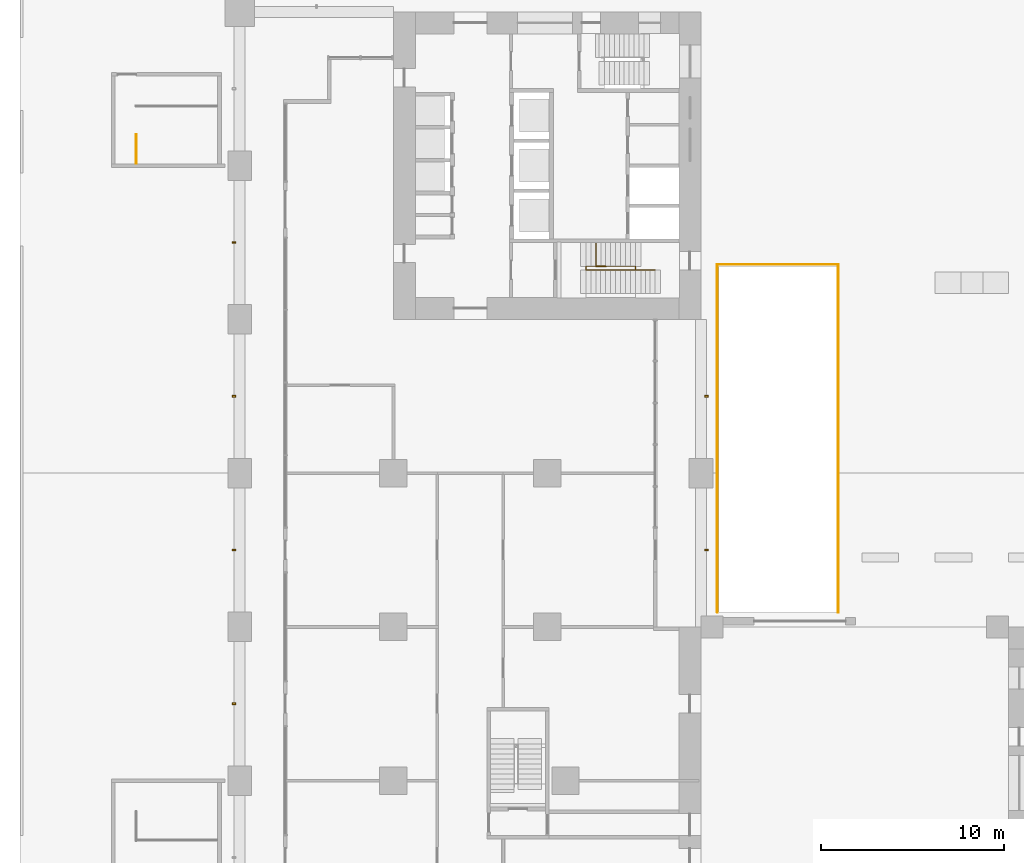
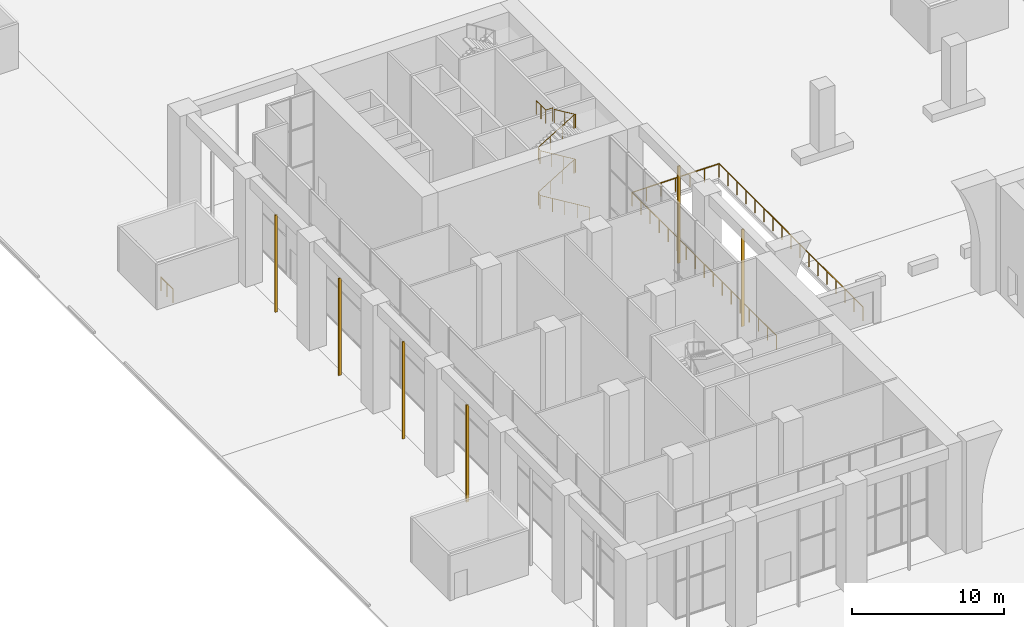
# One storey, part 36 of 46: 6 railings, 6 shading devices.
"""IFC4 building model written with IfcOpenShell, lengths in metres."""

from ifc_helpers import new_model, si_unit, direction, frame, origin, origin_2d, place, context, subcontext, project, spatial, rectangle, circle, extrude, material, material_profile, profile_set, type_object, element, save


model = new_model("IFC4")

# Units and contexts
model_context = context("Model", 3, precision=1e-05, world=origin(), true_north=direction((0.0, 1.0)))
body_context = subcontext(model_context, "Body", "Model", "MODEL_VIEW")
ifc_project = project(units=[si_unit("LENGTHUNIT", "METRE"), si_unit("AREAUNIT", "SQUARE_METRE"), si_unit("VOLUMEUNIT", "CUBIC_METRE"), si_unit("PLANEANGLEUNIT", "RADIAN"), si_unit("MASSUNIT", "GRAM", prefix="KILO")], contexts=[model_context])

# Site, building, storey
site_placement = place(None, origin())
site = spatial("IfcSite", under=ifc_project, at=site_placement, CompositionType="ELEMENT")
building_placement = place(site_placement, origin())
building = spatial("IfcBuilding", under=site, at=building_placement, Name="Vermilion Gate Residences", CompositionType="ELEMENT")
storey_placement = place(building_placement, origin())
storey = spatial("IfcBuildingStorey", under=building, at=storey_placement, Name="L00", CompositionType="ELEMENT", Elevation=0.0)

# Railings
ifc_material_1 = material(Name="Steel", Category="steel")
railing_type_1 = type_object("IfcRailingType", Name="RAMP GUARD 1100 (AMENITY)", PredefinedType="GUARDRAIL", material=ifc_material_1)
railing_1_placement = place(storey_placement, frame((26.10009765625, 26.0, 0.0)))
element("IfcRailing", 1, at=railing_1_placement, inside=storey, type_object=railing_type_1, Name="Ramp guard 1", PredefinedType="GUARDRAIL", context=body_context, shape_type="SweptSolid", body=[
    extrude(circle(Radius=0.02392578125, at=origin_2d()), frame((0.0, 0.0, 1.076171875), z_axis=(0.0, 1.0, 0.0), x_axis=(-1.0, 0.0, 0.0)), (0.0, 0.0, 1.0), 19.0),
    extrude(circle(Radius=0.02099609375, at=origin_2d()), origin(), (0.0, 0.0, 1.0), 1.052001953125),
    extrude(circle(Radius=0.02099609375, at=origin_2d()), frame((0.0, 1.1875, 0.0)), (0.0, 0.0, 1.0), 1.052001953125),
    extrude(circle(Radius=0.02099609375, at=origin_2d()), frame((0.0, 2.375, 0.0)), (0.0, 0.0, 1.0), 1.052001953125),
    extrude(circle(Radius=0.02099609375, at=origin_2d()), frame((0.0, 3.5625, 0.0)), (0.0, 0.0, 1.0), 1.052001953125),
    extrude(circle(Radius=0.02099609375, at=origin_2d()), frame((0.0, 4.75, 0.0)), (0.0, 0.0, 1.0), 1.052001953125),
    extrude(circle(Radius=0.02099609375, at=origin_2d()), frame((0.0, 5.9375, 0.0)), (0.0, 0.0, 1.0), 1.052001953125),
    extrude(circle(Radius=0.02099609375, at=origin_2d()), frame((0.0, 7.125, 0.0)), (0.0, 0.0, 1.0), 1.052001953125),
    extrude(circle(Radius=0.02099609375, at=origin_2d()), frame((0.0, 8.3125, 0.0)), (0.0, 0.0, 1.0), 1.052001953125),
    extrude(circle(Radius=0.02099609375, at=origin_2d()), frame((0.0, 9.5, 0.0)), (0.0, 0.0, 1.0), 1.052001953125),
    extrude(circle(Radius=0.02099609375, at=origin_2d()), frame((0.0, 10.6875, 0.0)), (0.0, 0.0, 1.0), 1.052001953125),
    extrude(circle(Radius=0.02099609375, at=origin_2d()), frame((0.0, 11.875, 0.0)), (0.0, 0.0, 1.0), 1.052001953125),
    extrude(circle(Radius=0.02099609375, at=origin_2d()), frame((0.0, 13.0625, 0.0)), (0.0, 0.0, 1.0), 1.052001953125),
    extrude(circle(Radius=0.02099609375, at=origin_2d()), frame((0.0, 14.25, 0.0)), (0.0, 0.0, 1.0), 1.052001953125),
    extrude(circle(Radius=0.02099609375, at=origin_2d()), frame((0.0, 15.4375, 0.0)), (0.0, 0.0, 1.0), 1.052001953125),
    extrude(circle(Radius=0.02099609375, at=origin_2d()), frame((0.0, 16.625, 0.0)), (0.0, 0.0, 1.0), 1.052001953125),
    extrude(circle(Radius=0.02099609375, at=origin_2d()), frame((0.0, 17.8125, 0.0)), (0.0, 0.0, 1.0), 1.052001953125),
    extrude(circle(Radius=0.02099609375, at=origin_2d()), frame((0.0, 19.0, 0.0)), (0.0, 0.0, 1.0), 1.052001953125),
])
railing_2_placement = place(storey_placement, frame((32.699951171875, 26.0, 0.0)))
element("IfcRailing", 2, at=railing_2_placement, inside=storey, type_object=railing_type_1, Name="Ramp guard 2", PredefinedType="GUARDRAIL", context=body_context, shape_type="SweptSolid", body=[
    extrude(circle(Radius=0.02392578125, at=origin_2d()), frame((0.0, 0.0, 1.076171875), z_axis=(0.0, 1.0, 0.0), x_axis=(-1.0, 0.0, 0.0)), (0.0, 0.0, 1.0), 19.0),
    extrude(circle(Radius=0.02099609375, at=origin_2d()), origin(), (0.0, 0.0, 1.0), 1.052001953125),
    extrude(circle(Radius=0.02099609375, at=origin_2d()), frame((0.0, 1.1875, 0.0)), (0.0, 0.0, 1.0), 1.052001953125),
    extrude(circle(Radius=0.02099609375, at=origin_2d()), frame((0.0, 2.375, 0.0)), (0.0, 0.0, 1.0), 1.052001953125),
    extrude(circle(Radius=0.02099609375, at=origin_2d()), frame((0.0, 3.5625, 0.0)), (0.0, 0.0, 1.0), 1.052001953125),
    extrude(circle(Radius=0.02099609375, at=origin_2d()), frame((0.0, 4.75, 0.0)), (0.0, 0.0, 1.0), 1.052001953125),
    extrude(circle(Radius=0.02099609375, at=origin_2d()), frame((0.0, 5.9375, 0.0)), (0.0, 0.0, 1.0), 1.052001953125),
    extrude(circle(Radius=0.02099609375, at=origin_2d()), frame((0.0, 7.125, 0.0)), (0.0, 0.0, 1.0), 1.052001953125),
    extrude(circle(Radius=0.02099609375, at=origin_2d()), frame((0.0, 8.3125, 0.0)), (0.0, 0.0, 1.0), 1.052001953125),
    extrude(circle(Radius=0.02099609375, at=origin_2d()), frame((0.0, 9.5, 0.0)), (0.0, 0.0, 1.0), 1.052001953125),
    extrude(circle(Radius=0.02099609375, at=origin_2d()), frame((0.0, 10.6875, 0.0)), (0.0, 0.0, 1.0), 1.052001953125),
    extrude(circle(Radius=0.02099609375, at=origin_2d()), frame((0.0, 11.875, 0.0)), (0.0, 0.0, 1.0), 1.052001953125),
    extrude(circle(Radius=0.02099609375, at=origin_2d()), frame((0.0, 13.0625, 0.0)), (0.0, 0.0, 1.0), 1.052001953125),
    extrude(circle(Radius=0.02099609375, at=origin_2d()), frame((0.0, 14.25, 0.0)), (0.0, 0.0, 1.0), 1.052001953125),
    extrude(circle(Radius=0.02099609375, at=origin_2d()), frame((0.0, 15.4375, 0.0)), (0.0, 0.0, 1.0), 1.052001953125),
    extrude(circle(Radius=0.02099609375, at=origin_2d()), frame((0.0, 16.625, 0.0)), (0.0, 0.0, 1.0), 1.052001953125),
    extrude(circle(Radius=0.02099609375, at=origin_2d()), frame((0.0, 17.8125, 0.0)), (0.0, 0.0, 1.0), 1.052001953125),
    extrude(circle(Radius=0.02099609375, at=origin_2d()), frame((0.0, 19.0, 0.0)), (0.0, 0.0, 1.0), 1.052001953125),
])
railing_3_placement = place(storey_placement, frame((26.10009765625, 45.0, 0.0)))
element("IfcRailing", 3, at=railing_3_placement, inside=storey, type_object=railing_type_1, Name="Ramp guard 3", PredefinedType="GUARDRAIL", context=body_context, shape_type="SweptSolid", body=[
    extrude(circle(Radius=0.02392578125, at=origin_2d()), frame((0.0, 0.0, 1.076171875), z_axis=(1.0, 0.0, 0.0), x_axis=(0.0, 1.0, 0.0)), (0.0, 0.0, 1.0), 6.599853515625),
    extrude(circle(Radius=0.02099609375, at=origin_2d()), origin(), (0.0, 0.0, 1.0), 1.052001953125),
    extrude(circle(Radius=0.02099609375, at=origin_2d()), frame((1.10009765625, 0.0, 0.0)), (0.0, 0.0, 1.0), 1.052001953125),
    extrude(circle(Radius=0.02099609375, at=origin_2d()), frame((2.199951171875, 0.0, 0.0)), (0.0, 0.0, 1.0), 1.052001953125),
    extrude(circle(Radius=0.02099609375, at=origin_2d()), frame((3.2998046875, 0.0, 0.0)), (0.0, 0.0, 1.0), 1.052001953125),
    extrude(circle(Radius=0.02099609375, at=origin_2d()), frame((4.39990234375, 0.0, 0.0)), (0.0, 0.0, 1.0), 1.052001953125),
    extrude(circle(Radius=0.02099609375, at=origin_2d()), frame((5.5, 0.0, 0.0)), (0.0, 0.0, 1.0), 1.052001953125),
    extrude(circle(Radius=0.02099609375, at=origin_2d()), frame((6.599853515625, 0.0, 0.0)), (0.0, 0.0, 1.0), 1.052001953125),
])
ifc_material_2 = material(Name="Steel S355", Category="steel")
railing_type_2 = type_object("IfcRailingType", Name="STAIR GUARD 1100 STEEL", PredefinedType="GUARDRAIL", material=ifc_material_2)
railing_4_placement = place(storey_placement, frame((22.699951171875, 44.699951171875, 0.16357421875)))
element("IfcRailing", 4, at=railing_4_placement, inside=storey, type_object=railing_type_2, Name="Stair well guard STB2-00", PredefinedType="GUARDRAIL", context=body_context, shape_type="SweptSolid", body=[
    extrude(circle(Radius=0.02392578125, at=origin_2d()), frame((0.0, 0.0, 1.076171875), z_axis=(-0.855188928692, 0.0, 0.518316405531), x_axis=(0.0, -1.0, 0.0)), (0.0, 0.0, 1.0), 4.420166015625),
    extrude(circle(Radius=0.02392578125, at=origin_2d()), frame((-3.780029296875, 0.0, 3.3671875), z_axis=(0.0, 0.773999403868, 0.633186325509), x_axis=(-1.0, 0.0, 0.0)), (0.0, 0.0, 1.0), 0.25830078125),
    extrude(circle(Radius=0.02392578125, at=origin_2d()), frame((-3.780029296875, 0.199951171875, 3.53076171875), z_axis=(0.85519887015, 0.0, 0.518300002406), x_axis=(0.0, 1.0, 0.0)), (0.0, 0.0, 1.0), 3.157470703125),
    extrude(circle(Radius=0.02392578125, at=origin_2d()), frame((-1.079833984375, 0.199951171875, 5.1669921875), z_axis=(0.0, -0.773999403868, 0.633186325509), x_axis=(1.0, 0.0, 0.0)), (0.0, 0.0, 1.0), 0.25830078125),
    extrude(circle(Radius=0.02392578125, at=origin_2d()), frame((-1.079833984375, 0.0, 5.33056640625), z_axis=(-0.855233143301, 0.0, 0.518243447233), x_axis=(0.0, -1.0, 0.0)), (0.0, 0.0, 1.0), 3.1572265625),
    extrude(circle(Radius=0.02392578125, at=origin_2d()), frame((-3.780029296875, 0.0, 6.966796875), z_axis=(0.0, 0.773536316473, 0.633751976011), x_axis=(-1.0, 0.0, 0.0)), (0.0, 0.0, 1.0), 0.258544921875),
    extrude(circle(Radius=0.02392578125, at=origin_2d()), frame((-3.780029296875, 0.199951171875, 7.130859375), z_axis=(0.855233143301, 0.0, 0.518243447233), x_axis=(0.0, 1.0, 0.0)), (0.0, 0.0, 1.0), 3.1572265625),
    extrude(circle(Radius=0.02392578125, at=origin_2d()), frame((-1.079833984375, 0.199951171875, 8.76708984375), z_axis=(0.0, -0.773999403868, 0.633186325509), x_axis=(1.0, 0.0, 0.0)), (0.0, 0.0, 1.0), 0.25830078125),
    extrude(circle(Radius=0.02392578125, at=origin_2d()), frame((-1.079833984375, 0.0, 8.9306640625), z_axis=(-0.855187445546, 0.0, 0.51831885262), x_axis=(0.0, -1.0, 0.0)), (0.0, 0.0, 1.0), 1.89453125),
    extrude(circle(Radius=0.02099609375, at=origin_2d()), origin(), (0.0, 0.0, 1.0), 1.052001953125),
    extrude(circle(Radius=0.02099609375, at=origin_2d()), frame((-0.945068359375, 0.0, 0.57275390625)), (0.0, 0.0, 1.0), 1.052001953125),
    extrude(circle(Radius=0.02099609375, at=origin_2d()), frame((-1.89013671875, 0.0, 1.1455078125)), (0.0, 0.0, 1.0), 1.052001953125),
    extrude(circle(Radius=0.02099609375, at=origin_2d()), frame((-2.8349609375, 0.0, 1.71826171875)), (0.0, 0.0, 1.0), 1.052001953125),
    extrude(circle(Radius=0.02099609375, at=origin_2d()), frame((-3.780029296875, 0.0, 2.291015625)), (0.0, 0.0, 1.0), 1.052001953125),
    extrude(circle(Radius=0.02099609375, at=origin_2d()), frame((-3.780029296875, 0.199951171875, 2.45458984375)), (0.0, 0.0, 1.0), 1.052001953125),
    extrude(circle(Radius=0.02099609375, at=origin_2d()), frame((-2.8798828125, 0.199951171875, 3.0)), (0.0, 0.0, 1.0), 1.052001953125),
    extrude(circle(Radius=0.02099609375, at=origin_2d()), frame((-1.97998046875, 0.199951171875, 3.545654296875)), (0.0, 0.0, 1.0), 1.052001953125),
    extrude(circle(Radius=0.02099609375, at=origin_2d()), frame((-1.079833984375, 0.199951171875, 4.091064453125)), (0.0, 0.0, 1.0), 1.052001953125),
    extrude(circle(Radius=0.02099609375, at=origin_2d()), frame((-1.079833984375, 0.0, 4.254638671875)), (0.0, 0.0, 1.0), 1.052001953125),
    extrude(circle(Radius=0.02099609375, at=origin_2d()), frame((-1.97998046875, 0.0, 4.800048828125)), (0.0, 0.0, 1.0), 1.052001953125),
    extrude(circle(Radius=0.02099609375, at=origin_2d()), frame((-2.8798828125, 0.0, 5.345458984375)), (0.0, 0.0, 1.0), 1.052001953125),
    extrude(circle(Radius=0.02099609375, at=origin_2d()), frame((-3.780029296875, 0.0, 5.890869140625)), (0.0, 0.0, 1.0), 1.052001953125),
    extrude(circle(Radius=0.02099609375, at=origin_2d()), frame((-3.780029296875, 0.199951171875, 6.0546875)), (0.0, 0.0, 1.0), 1.052001953125),
    extrude(circle(Radius=0.02099609375, at=origin_2d()), frame((-2.8798828125, 0.199951171875, 6.60009765625)), (0.0, 0.0, 1.0), 1.052001953125),
    extrude(circle(Radius=0.02099609375, at=origin_2d()), frame((-1.97998046875, 0.199951171875, 7.1455078125)), (0.0, 0.0, 1.0), 1.052001953125),
    extrude(circle(Radius=0.02099609375, at=origin_2d()), frame((-1.079833984375, 0.199951171875, 7.69091796875)), (0.0, 0.0, 1.0), 1.052001953125),
    extrude(circle(Radius=0.02099609375, at=origin_2d()), frame((-1.079833984375, 0.0, 7.8544921875)), (0.0, 0.0, 1.0), 1.052001953125),
    extrude(circle(Radius=0.02099609375, at=origin_2d()), frame((-1.889892578125, 0.0, 8.345458984375)), (0.0, 0.0, 1.0), 1.052001953125),
    extrude(circle(Radius=0.02099609375, at=origin_2d()), frame((-2.699951171875, 0.0, 8.83642578125)), (0.0, 0.0, 1.0), 1.052001953125),
])
railing_5_placement = place(storey_placement, frame((19.467529296875, 46.14990234375, 9.0)))
element("IfcRailing", 5, at=railing_5_placement, inside=storey, type_object=railing_type_2, Name="Stair opening guard STB2-00 (lane A)", PredefinedType="GUARDRAIL", context=body_context, shape_type="SweptSolid", body=[
    extrude(circle(Radius=0.02392578125, at=origin_2d()), frame((0.0, 0.0, 1.076171875), z_axis=(0.0, -1.0, 0.0), x_axis=(1.0, 0.0, 0.0)), (0.0, 0.0, 1.0), 1.25),
    extrude(circle(Radius=0.02392578125, at=origin_2d()), frame((0.0, -1.25, 1.076171875), z_axis=(1.0, 0.0, 0.0), x_axis=(0.0, 1.0, 0.0)), (0.0, 0.0, 1.0), 0.532470703125),
    extrude(circle(Radius=0.02099609375, at=origin_2d()), origin(), (0.0, 0.0, 1.0), 1.052001953125),
    extrude(circle(Radius=0.02099609375, at=origin_2d()), frame((0.0, -0.625, 0.0)), (0.0, 0.0, 1.0), 1.052001953125),
    extrude(circle(Radius=0.02099609375, at=origin_2d()), frame((0.0, -1.25, 0.0)), (0.0, 0.0, 1.0), 1.052001953125),
    extrude(circle(Radius=0.02099609375, at=origin_2d()), frame((0.532470703125, -1.25, 0.0)), (0.0, 0.0, 1.0), 1.052001953125),
])
ifc_material_3 = material(Name="Steel", Category="steel")
railing_type_3 = type_object("IfcRailingType", Name="STAIR WELL GUARD 1100 (AMENITY)", PredefinedType="GUARDRAIL", material=ifc_material_3)
railing_6_placement = place(storey_placement, frame((-5.64990234375, 50.52001953125, 0.0)))
element("IfcRailing", 6, at=railing_6_placement, inside=storey, type_object=railing_type_3, Name="Stair well guard 2", PredefinedType="GUARDRAIL", context=body_context, shape_type="SweptSolid", body=[
    extrude(circle(Radius=0.02392578125, at=origin_2d()), frame((0.0, 0.0, 1.076171875), z_axis=(0.0, 1.0, 0.0), x_axis=(-1.0, 0.0, 0.0)), (0.0, 0.0, 1.0), 1.580078125),
    extrude(circle(Radius=0.02099609375, at=origin_2d()), origin(), (0.0, 0.0, 1.0), 1.052001953125),
    extrude(circle(Radius=0.02099609375, at=origin_2d()), frame((0.0, 0.7900390625, 0.0)), (0.0, 0.0, 1.0), 1.052001953125),
    extrude(circle(Radius=0.02099609375, at=origin_2d()), frame((0.0, 1.580078125, 0.0)), (0.0, 0.0, 1.0), 1.052001953125),
])

# Shading devices
ifc_material_4 = material(Name="Extruded terracotta", Category="masonry")
ifc_material_profile = material_profile(ifc_material_4, rectangle(XDim=0.199951171875, YDim=0.10009765625, at=origin_2d()), Name="BAGUETTE 100 X 200")
ifc_profile_set = profile_set([ifc_material_profile], Name="Extruded terracotta")
shading_device_type = type_object("IfcShadingDeviceType", Name="TERRACOTTA BAGUETTE 100 X 200", PredefinedType="JALOUSIE", material=ifc_profile_set)
for number, where, z_axis, x_axis, name in (
    (7, (25.5, 29.39990234375, 0.0), (0.0, 0.0, 1.0), (-1.0, 0.0, 0.0), "BAGUETTE"),
    (8, (25.5, 37.800048828125, 0.0), (0.0, 0.0, 1.0), (-1.0, 0.0, 0.0), "BAGUETTE"),
    (9, (-0.300048828125, 21.0, 0.0), (0.0, 0.0, 1.0), (1.0, 0.0, 0.0), "BAGUETTE"),
    (10, (-0.300048828125, 29.39990234375, 0.0), (0.0, 0.0, 1.0), (1.0, 0.0, 0.0), "BAGUETTE"),
    (11, (-0.300048828125, 37.800048828125, 0.0), (0.0, 0.0, 1.0), (1.0, 0.0, 0.0), "BAGUETTE"),
    (12, (-0.300048828125, 46.199951171875, 0.0), (0.0, 0.0, 1.0), (1.0, 0.0, 0.0), "BAGUETTE"),
):
    element("IfcShadingDevice", number, at=place(storey_placement, frame(where, z_axis=z_axis, x_axis=x_axis)), inside=storey, type_object=shading_device_type, Name=name, PredefinedType="JALOUSIE", context=body_context, shape_type="SweptSolid", body=[
        extrude(rectangle(XDim=0.199951171875, YDim=0.10009765625, at=origin_2d()), origin(), (0.0, 0.0, 1.0), 7.800048828125),
    ])

save(model, "model.ifc")
